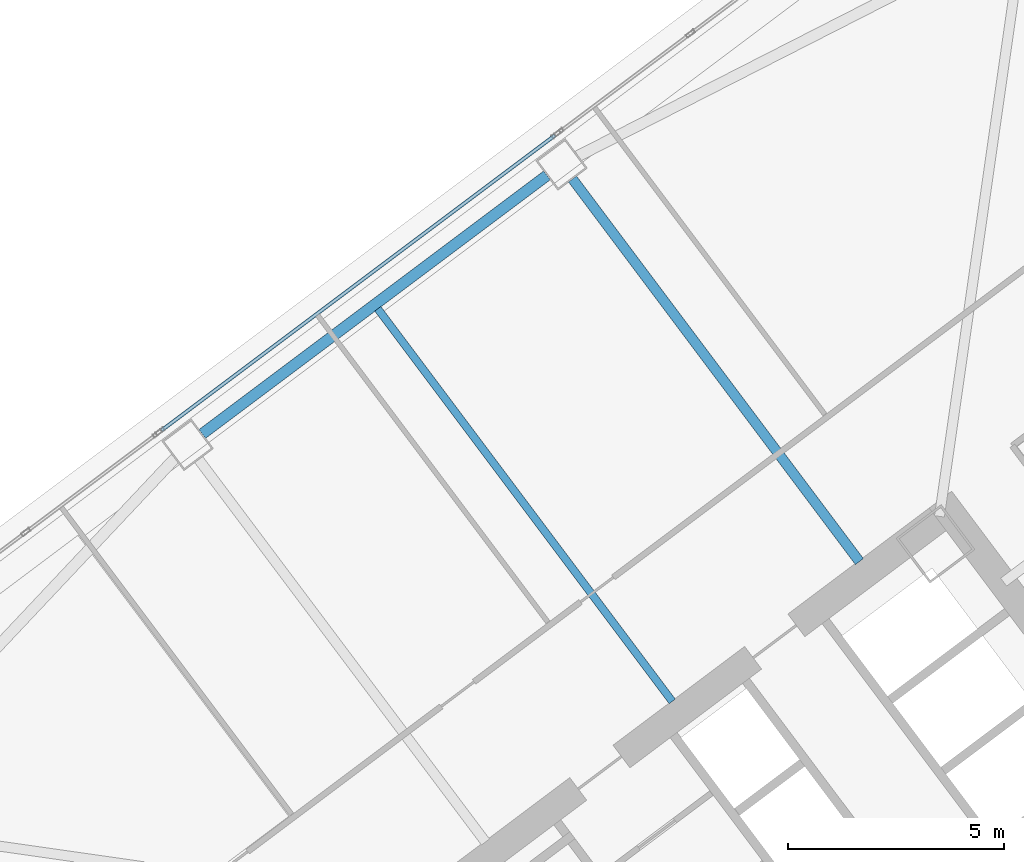
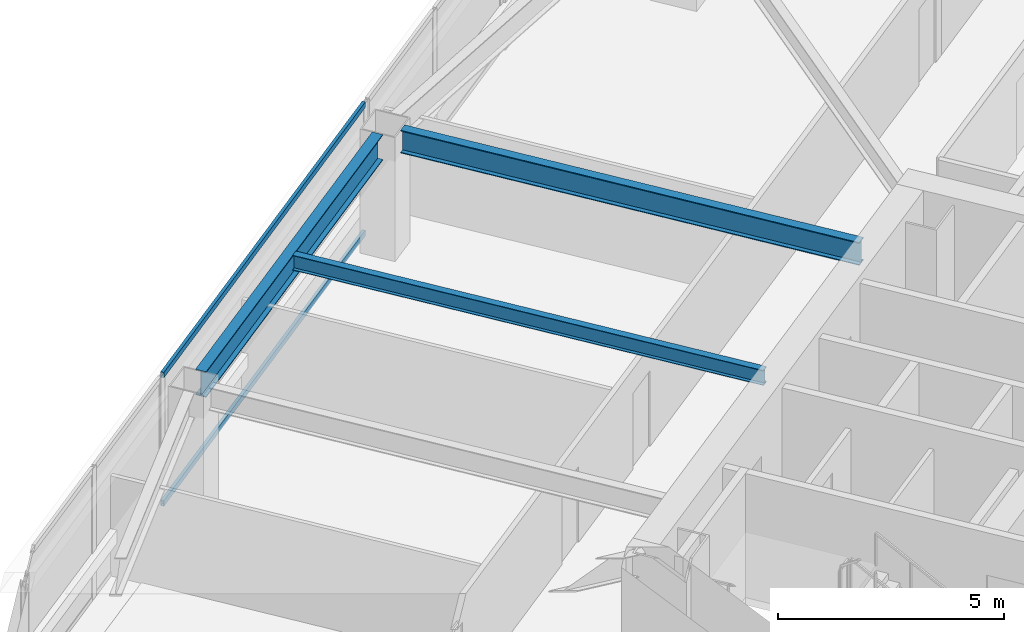
# One storey, part 30 of 49: 3 beams, 2 members, 1 element without a shape of its own.
"""IFC4 building model written with IfcOpenShell, lengths in metres."""

from ifc_helpers import new_model, si_unit, direction, frame, origin, origin_2d, place, context, subcontext, project, spatial, hollow_rectangle, i_section, extrude, material, material_profile, profile_set, type_object, element, aggregate, save


model = new_model("IFC4")

# Units and contexts
model_context = context("Model", 3, precision=1e-05, world=origin(), true_north=direction((0.0, 1.0)))
body_context = subcontext(model_context, "Body", "Model", "MODEL_VIEW")
ifc_project = project(units=[si_unit("LENGTHUNIT", "METRE"), si_unit("AREAUNIT", "SQUARE_METRE"), si_unit("VOLUMEUNIT", "CUBIC_METRE"), si_unit("PLANEANGLEUNIT", "RADIAN"), si_unit("MASSUNIT", "GRAM", prefix="KILO")], contexts=[model_context])

# Site, building, storey
site_placement = place(None, origin())
site = spatial("IfcSite", under=ifc_project, at=site_placement, CompositionType="ELEMENT")
building_placement = place(site_placement, origin())
building = spatial("IfcBuilding", under=site, at=building_placement, Name="Tashvorn Skyway Center", CompositionType="ELEMENT")
storey_placement = place(building_placement, frame((0.0, 0.0, 70.75)))
storey = spatial("IfcBuildingStorey", under=building, at=storey_placement, Name="L18", CompositionType="ELEMENT", Elevation=70.75)

# Beams
ifc_material_1 = material(Name="Steel ASTM A992 Grade 50", Category="steel")
ifc_material_profile_1 = material_profile(ifc_material_1, i_section(OverallWidth=0.22998046875, OverallDepth=0.616943359375, WebThickness=0.01318359375, FlangeThickness=0.022216796875, at=origin_2d()), Name="W24X94")
ifc_profile_set_1 = profile_set([ifc_material_profile_1], Name="Steel ASTM A992 Grade 50")
beam_type_1 = type_object("IfcBeamType", Name="BM-BEAM-W24X94", PredefinedType="BEAM", material=ifc_profile_set_1)
beam_1_placement = place(storey_placement, frame((107.02197265625, 50.303955078125, 3.04150390625), z_axis=(0.60001414024, -0.799989394625, 0.0), x_axis=(0.799989394625, 0.60001414024, 0.0)))
element("IfcBeam", 1, at=beam_1_placement, inside=storey, type_object=beam_type_1, Name="Tower 2 L18 Primary Floor Girder FC-N1", PredefinedType="BEAM", context=body_context, shape_type="SweptSolid", body=[
    extrude(i_section(OverallWidth=0.22998046875, OverallDepth=0.616943359375, WebThickness=0.01318359375, FlangeThickness=0.022216796875, at=origin_2d()), origin(), (0.0, 0.0, 1.0), 11.050048828125),
])
ifc_material_profile_2 = material_profile(ifc_material_1, i_section(OverallWidth=0.177978515625, OverallDepth=0.406005859375, WebThickness=0.0078125, FlangeThickness=0.0126953125, at=origin_2d()), Name="W16X40")
ifc_profile_set_2 = profile_set([ifc_material_profile_2], Name="Steel ASTM A992 Grade 50")
beam_type_2 = type_object("IfcBeamType", Name="BM-JOIST-W16X40", PredefinedType="JOIST", material=ifc_profile_set_2)
beam_2_placement = place(storey_placement, frame((109.325927734375, 38.23193359375, 3.14697265625), z_axis=(-0.599996555327, 0.800002583493, 0.0), x_axis=(-0.800002583493, -0.599996555327, 0.0)))
element("IfcBeam", 2, at=beam_2_placement, inside=storey, type_object=beam_type_2, Name="Tower 2 L18 Secondary Composite Joist JN", PredefinedType="JOIST", context=body_context, shape_type="SweptSolid", body=[
    extrude(i_section(OverallWidth=0.177978515625, OverallDepth=0.406005859375, WebThickness=0.0078125, FlangeThickness=0.0126953125, at=origin_2d()), origin(), (0.0, 0.0, 1.0), 11.340087890625),
])
ifc_material_profile_3 = material_profile(ifc_material_1, i_section(OverallWidth=0.256103515625, OverallDepth=0.693115234375, WebThickness=0.014404296875, FlangeThickness=0.023681640625, at=origin_2d()), Name="W27X114")
ifc_profile_set_3 = profile_set([ifc_material_profile_3], Name="Steel ASTM A992 Grade 50")
beam_type_3 = type_object("IfcBeamType", Name="BM-SPANDREL-W27X114", PredefinedType="SPANDREL", material=ifc_profile_set_3)
beam_3_placement = place(storey_placement, frame((106.43408203125, 50.387939453125, 3.00341796875), z_axis=(-0.800008824351, -0.599988234018, 0.0), x_axis=(0.599988234018, -0.800008824351, 0.0)))
element("IfcBeam", 3, at=beam_3_placement, inside=storey, type_object=beam_type_3, Name="Tower 2 L18 Spandrel Beam 08", PredefinedType="SPANDREL", context=body_context, shape_type="SweptSolid", body=[
    extrude(i_section(OverallWidth=0.256103515625, OverallDepth=0.693115234375, WebThickness=0.014404296875, FlangeThickness=0.023681640625, at=origin_2d()), origin(), (0.0, 0.0, 1.0), 9.9599609375),
])

# Curtain wall, members
ifc_material_2 = material(Name="Thermally broken bronze-anodized aluminium 6063-T6", Category="aluminium")
curtain_wall_type = type_object("IfcCurtainWallType", Name="CW-CW-Z2", PredefinedType="NOTDEFINED", material=ifc_material_2)
curtain_wall_placement = place(storey_placement, origin())
curtain_wall = element("IfcCurtainWall", 4, at=curtain_wall_placement, inside=storey, type_object=curtain_wall_type, Name="Tower 2 L18 North Unitised Curtain Wall Glazing Group 2", PredefinedType="NOTDEFINED")
ifc_material_profile_4 = material_profile(ifc_material_2, hollow_rectangle(XDim=0.080078125, YDim=0.14990234375, WallThickness=0.00439453125, at=origin_2d()), Name="ALU-TRAN-80x150")
ifc_profile_set_4 = profile_set([ifc_material_profile_4], Name="Thermally broken bronze-anodized aluminium 6063-T6")
member_type = type_object("IfcMemberType", Name="CWT-CW-Z2", PredefinedType="USERDEFINED", material=ifc_profile_set_4)
member_1_placement = place(storey_placement, frame((97.528076171875, 44.49609375, 0.0400390625), z_axis=(0.8, 0.6, 0.0), x_axis=(-0.6, 0.8, 0.0)))
member_1 = element("IfcMember", 5, at=member_1_placement, type_object=member_type, Name="CW-Z2 transom 1.1", ObjectType="TRANSOM", PredefinedType="USERDEFINED", context=body_context, shape_type="SweptSolid", body=[
    extrude(hollow_rectangle(XDim=0.080078125, YDim=0.14990234375, WallThickness=0.00439453125, at=origin_2d()), origin(), (0.0, 0.0, 1.0), 11.35986328125),
])
member_2_placement = place(storey_placement, frame((97.528076171875, 44.49609375, 3.510009765625), z_axis=(0.8, 0.6, 0.0), x_axis=(-0.6, 0.8, 0.0)))
member_2 = element("IfcMember", 6, at=member_2_placement, type_object=member_type, Name="CW-Z2 transom 1.2", ObjectType="TRANSOM", PredefinedType="USERDEFINED", context=body_context, shape_type="SweptSolid", body=[
    extrude(hollow_rectangle(XDim=0.080078125, YDim=0.14990234375, WallThickness=0.00439453125, at=origin_2d()), origin(), (0.0, 0.0, 1.0), 11.35986328125),
])
aggregate(curtain_wall, [member_1, member_2])

save(model, "model.ifc")
